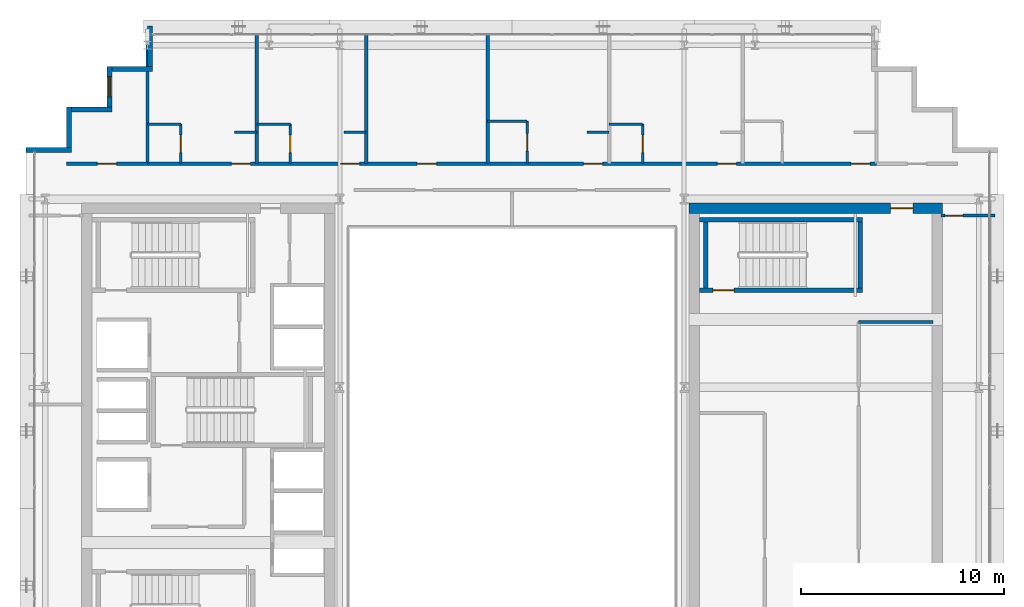
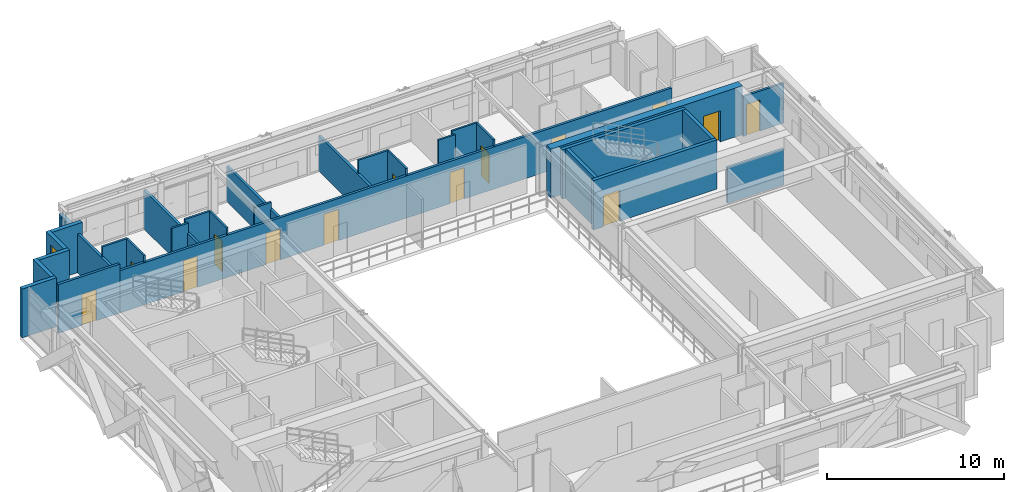
# One storey, part 26 of 31: 30 walls, 14 doors, 1 window, 15 openings.
"""IFC4 building model written with IfcOpenShell, lengths in metres."""

from ifc_helpers import new_model, si_unit, direction, frame, frame_2d, origin, place, context, subcontext, project, spatial, rectangle, extrude, source, transform, mapped, material, layer, layer_set, type_object, element, fill, save


model = new_model("IFC4")

# Units and contexts
model_context = context("Model", 3, precision=1e-05, world=origin(), true_north=direction((0.0, 1.0)))
body_context = subcontext(model_context, "Body", "Model", "MODEL_VIEW")
ifc_project = project(units=[si_unit("LENGTHUNIT", "METRE"), si_unit("AREAUNIT", "SQUARE_METRE"), si_unit("VOLUMEUNIT", "CUBIC_METRE"), si_unit("PLANEANGLEUNIT", "RADIAN"), si_unit("MASSUNIT", "GRAM", prefix="KILO")], contexts=[model_context])

# Site, building, storey
site_placement = place(None, origin())
site = spatial("IfcSite", under=ifc_project, at=site_placement, CompositionType="ELEMENT")
building_placement = place(site_placement, origin())
building = spatial("IfcBuilding", under=site, at=building_placement, Name="Ocotamira Hotel", CompositionType="ELEMENT")
storey_placement = place(building_placement, frame((0.0, 0.0, 202.800048828125)))
storey = spatial("IfcBuildingStorey", under=building, at=storey_placement, Name="L51", CompositionType="ELEMENT", Elevation=202.800048828125)

# Wall, opening, door
ifc_material_1 = material(Name="Concrete C50/60", Category="concrete")
ifc_layer_1 = layer(ifc_material_1, 0.5)
ifc_layer_set_1 = layer_set([ifc_layer_1], Name="Concrete C50/60")
wall_type_1 = type_object("IfcWallType", Name="WL-CORE-500", PredefinedType="SHEAR", material=ifc_layer_set_1)
wall_1_placement = place(storey_placement, frame((40.75, 37.0, 0.0), z_axis=(0.0, 0.0, 1.0), x_axis=(1.0, 0.0, 0.0)))
wall_1 = element("IfcWall", 1, at=wall_1_placement, inside=storey, type_object=wall_type_1, Name="L51 Shear Core Wall ECORE-N", PredefinedType="SHEAR", context=body_context, shape_type="SweptSolid", body=[
    extrude(rectangle(XDim=12.5, YDim=0.5, at=frame_2d((6.25, 0.0))), origin(), (0.0, 0.0, 1.0), 3.369873046875),
])
opening_1_placement = place(wall_1_placement, frame((9.949951171875, 0.0, 0.0)))
opening_1 = element("IfcOpeningElement", 2, at=opening_1_placement, cuts=wall_1, Name="Opening D-FR1", PredefinedType="OPENING", context=body_context, shape_type="SweptSolid", body=[
    extrude(rectangle(XDim=1.10009765625, YDim=2.14990234375, at=frame_2d((0.550048828125, 1.074951171875))), frame((0.0, 0.260009765625, 0.0), z_axis=(0.0, -1.0, 0.0), x_axis=(1.0, 0.0, 0.0)), (0.0, 0.0, 1.0), 0.52001953125),
])
ifc_material_2 = material(Name="Fire-rated acoustic timber-veneer door", Category="wood")
door_type_1 = type_object("IfcDoorType", Name="DR-FIRE-1100", OperationType="NOTDEFINED", PredefinedType="DOOR", material=ifc_material_2)
shared_shape_1 = source(origin(), body_context, "Body", "SweptSolid", [
    extrude(rectangle(XDim=1.10009765625, YDim=2.14990234375, at=frame_2d((0.550048828125, 1.074951171875))), frame((0.0, 0.02490234375, 0.0), z_axis=(0.0, -1.0, 0.0), x_axis=(1.0, 0.0, 0.0)), (0.0, 0.0, 1.0), 0.050048828125),
])
door_1_placement = place(opening_1_placement, origin())
door_1 = element("IfcDoor", 3, at=door_1_placement, inside=storey, type_object=door_type_1, Name="L51 Door ID-L51-ELOB-N-D [ID-L51-ELOB-N-D]", OperationType="SINGLE_SWING_LEFT", OverallHeight=2.14990234375, OverallWidth=1.10009765625, PredefinedType="DOOR", context=body_context, shape_type="MappedRepresentation", body=[
    mapped(shared_shape_1, transform((0.0, 0.0, 0.0), scale=1.0)),
])
fill(opening_1, door_1)

# Walls
ifc_material_3 = material(Name="Precast concrete C45/55", Category="concrete")
ifc_layer_2 = layer(ifc_material_3, 0.25)
ifc_layer_set_2 = layer_set([ifc_layer_2], Name="Precast concrete C45/55")
wall_type_2 = type_object("IfcWallType", Name="WL-EXT-SER-250", PredefinedType="SOLIDWALL", material=ifc_layer_set_2)
wall_2_placement = place(storey_placement, frame((14.125, 46.0, 0.0), z_axis=(0.0, 0.0, 1.0), x_axis=(0.0, -1.0, 0.0)))
element("IfcWall", 4, at=wall_2_placement, inside=storey, type_object=wall_type_2, Name="L51 Serrated Corner Wall 13", PredefinedType="SOLIDWALL", context=body_context, shape_type="SweptSolid", body=[
    extrude(rectangle(XDim=2.0, YDim=0.25, at=frame_2d((1.0, 0.0))), origin(), (0.0, 0.0, 1.0), 2.677001953125),
])
wall_3_placement = place(storey_placement, frame((14.25, 43.875, 0.0), z_axis=(0.0, 0.0, 1.0), x_axis=(-1.0, 0.0, 0.0)))
element("IfcWall", 5, at=wall_3_placement, inside=storey, type_object=wall_type_2, Name="L51 Serrated Corner Wall 14", PredefinedType="SOLIDWALL", context=body_context, shape_type="SweptSolid", body=[
    extrude(rectangle(XDim=2.0, YDim=0.25, at=frame_2d((1.0, 0.0))), origin(), (0.0, 0.0, 1.0), 3.369873046875),
])

# Wall, opening, window
wall_4_placement = place(storey_placement, frame((12.125, 44.0, 0.0), z_axis=(0.0, 0.0, 1.0), x_axis=(0.0, -1.0, 0.0)))
wall_4 = element("IfcWall", 6, at=wall_4_placement, inside=storey, type_object=wall_type_2, Name="L51 Serrated Corner Wall 15", PredefinedType="SOLIDWALL", context=body_context, shape_type="SweptSolid", body=[
    extrude(rectangle(XDim=2.0, YDim=0.25, at=frame_2d((1.0, 0.0))), origin(), (0.0, 0.0, 1.0), 3.369873046875),
])
opening_2_placement = place(wall_4_placement, frame((0.5, 0.0, 0.85009765625)))
opening_2 = element("IfcOpeningElement", 7, at=opening_2_placement, cuts=wall_4, Name="Opening WN-2", PredefinedType="OPENING", context=body_context, shape_type="SweptSolid", body=[
    extrude(rectangle(XDim=1.0, YDim=1.89990234375, at=frame_2d((0.5, 0.949951171875))), frame((0.0, 0.135009765625, 0.0), z_axis=(0.0, -1.0, 0.0), x_axis=(1.0, 0.0, 0.0)), (0.0, 0.0, 1.0), 0.27001953125),
])
ifc_material_4 = material(Name="Double-silver low-E solar glass", Category="glass")
window_type = type_object("IfcWindowType", Name="WIN-SER-1100", PartitioningType="SINGLE_PANEL", PredefinedType="WINDOW", material=ifc_material_4)
shared_shape_2 = source(origin(), body_context, "Body", "SweptSolid", [
    extrude(rectangle(XDim=1.0, YDim=1.89990234375, at=frame_2d((0.5, 0.949951171875))), frame((0.0, 0.030029296875, 0.0), z_axis=(0.0, -1.0, 0.0), x_axis=(1.0, 0.0, 0.0)), (0.0, 0.0, 1.0), 0.06005859375),
])
window_placement = place(opening_2_placement, origin())
window = element("IfcWindow", 8, at=window_placement, inside=storey, type_object=window_type, Name="L51 Serrated Corner Window 15", OverallHeight=1.89990234375, OverallWidth=1.0, PartitioningType="SINGLE_PANEL", PredefinedType="WINDOW", context=body_context, shape_type="MappedRepresentation", body=[
    mapped(shared_shape_2, transform((0.0, 0.0, 0.0), scale=1.0)),
])
fill(opening_2, window)

# Walls
for number, where, z_axis, x_axis, name in (
    (9, (12.25, 41.875, 0.0), (0.0, 0.0, 1.0), (-1.0, 0.0, 0.0), "L51 Serrated Corner Wall 16"),
    (10, (10.125, 42.0, 0.0), (0.0, 0.0, 1.0), (0.0, -1.0, 0.0), "L51 Serrated Corner Wall 17"),
):
    element("IfcWall", number, at=place(storey_placement, frame(where, z_axis=z_axis, x_axis=x_axis)), inside=storey, type_object=wall_type_2, Name=name, PredefinedType="SOLIDWALL", context=body_context, shape_type="SweptSolid", body=[
        extrude(rectangle(XDim=2.0, YDim=0.25, at=frame_2d((1.0, 0.0))), origin(), (0.0, 0.0, 1.0), 3.369873046875),
    ])
wall_5_placement = place(storey_placement, frame((10.25, 39.875, 0.0), z_axis=(0.0, 0.0, 1.0), x_axis=(-1.0, 0.0, 0.0)))
element("IfcWall", 11, at=wall_5_placement, inside=storey, type_object=wall_type_2, Name="L51 Serrated Corner Wall 18", PredefinedType="SOLIDWALL", context=body_context, shape_type="SweptSolid", body=[
    extrude(rectangle(XDim=2.25, YDim=0.25, at=frame_2d((1.125, 0.0))), origin(), (0.0, 0.0, 1.0), 3.369873046875),
])
ifc_material_5 = material(Name="Acoustic double-layer fire gypsum board partition", Category="gypsum")
ifc_layer_3 = layer(ifc_material_5, 0.159912109375)
ifc_layer_set_3 = layer_set([ifc_layer_3], Name="Acoustic double-layer fire gypsum board partition")
wall_type_3 = type_object("IfcWallType", Name="WL-FIRE-160", PredefinedType="PARTITIONING", material=ifc_layer_set_3)
wall_6_placement = place(storey_placement, frame((49.1201171875, 31.3798828125, 0.0), z_axis=(0.0, 0.0, 1.0), x_axis=(1.0, 0.0, 0.0)))
element("IfcWall", 12, at=wall_6_placement, inside=storey, type_object=wall_type_3, Name="L51 Interior Wall PW-L51-EC-FLOW-N", PredefinedType="PARTITIONING", context=body_context, shape_type="SweptSolid", body=[
    extrude(rectangle(XDim=3.679931640625, YDim=0.159912109375, at=frame_2d((1.83984375, 0.0))), origin(), (0.0, 0.0, 1.0), 2.469970703125),
])

# Wall, opening, door
wall_7_placement = place(storey_placement, frame((10.0, 39.199951171875, 0.0), z_axis=(0.0, 0.0, 1.0), x_axis=(1.0, 0.0, 0.0)))
wall_7 = element("IfcWall", 13, at=wall_7_placement, inside=storey, type_object=wall_type_3, Name="L51 Interior Wall PW-L51-Z3E-CNW-CW", PredefinedType="PARTITIONING", context=body_context, shape_type="SweptSolid", body=[
    extrude(rectangle(XDim=4.0, YDim=0.159912109375, at=frame_2d((2.0, 0.0))), origin(), (0.0, 0.0, 1.0), 3.369873046875),
])
opening_3_placement = place(wall_7_placement, frame((1.52001953125, 0.0, 0.0)))
opening_3 = element("IfcOpeningElement", 14, at=opening_3_placement, cuts=wall_7, Name="Opening D-SV4", PredefinedType="OPENING", context=body_context, shape_type="SweptSolid", body=[
    extrude(rectangle(XDim=0.9599609375, YDim=2.14990234375, at=frame_2d((0.47998046875, 1.074951171875))), frame((0.0, 0.08984375, 0.0), z_axis=(0.0, -1.0, 0.0), x_axis=(1.0, 0.0, 0.0)), (0.0, 0.0, 1.0), 0.179931640625),
])
ifc_material_6 = material(Name="Fire-rated accessible walnut salon door", Category="wood")
door_type_2 = type_object("IfcDoorType", Name="DR-SERV-960", OperationType="NOTDEFINED", PredefinedType="DOOR", material=ifc_material_6)
shared_shape_3 = source(origin(), body_context, "Body", "SweptSolid", [
    extrude(rectangle(XDim=0.9599609375, YDim=2.14990234375, at=frame_2d((0.47998046875, 1.074951171875))), frame((0.0, 0.02490234375, 0.0), z_axis=(0.0, -1.0, 0.0), x_axis=(1.0, 0.0, 0.0)), (0.0, 0.0, 1.0), 0.050048828125),
])
door_2_placement = place(opening_3_placement, origin())
door_2 = element("IfcDoor", 15, at=door_2_placement, inside=storey, type_object=door_type_2, Name="L51 Door ID-L51-Z3E-CNW-CD [ID-L51-Z3E-CNW-CD]", OperationType="SINGLE_SWING_LEFT", OverallHeight=2.14990234375, OverallWidth=0.9599609375, PredefinedType="DOOR", context=body_context, shape_type="MappedRepresentation", body=[
    mapped(shared_shape_3, transform((0.0, 0.0, 0.0), scale=1.0)),
])
fill(opening_3, door_2)

# Wall, openings, doors
wall_8_placement = place(storey_placement, frame((14.0, 39.199951171875, 0.0), z_axis=(0.0, 0.0, 1.0), x_axis=(1.0, 0.0, 0.0)))
wall_8 = element("IfcWall", 16, at=wall_8_placement, inside=storey, type_object=wall_type_3, Name="L51 Interior Wall PW-L51-Z3EN-CORRW", PredefinedType="PARTITIONING", context=body_context, shape_type="SweptSolid", body=[
    extrude(rectangle(XDim=36.0, YDim=0.159912109375, at=frame_2d((18.0, 0.0))), origin(), (0.0, 0.0, 1.0), 2.912841796875),
])
opening_4_placement = place(wall_8_placement, frame((4.139892578125, 0.0, 0.0)))
opening_4 = element("IfcOpeningElement", 17, at=opening_4_placement, cuts=wall_8, Name="Opening D-GR1", PredefinedType="OPENING", context=body_context, shape_type="SweptSolid", body=[
    extrude(rectangle(XDim=0.93994140625, YDim=2.14990234375, at=frame_2d((0.469970703125, 1.074951171875))), frame((0.0, 0.08984375, 0.0), z_axis=(0.0, -1.0, 0.0), x_axis=(1.0, 0.0, 0.0)), (0.0, 0.0, 1.0), 0.179931640625),
])
opening_5_placement = place(wall_8_placement, frame((9.5400390625, 0.0, 0.0)))
opening_5 = element("IfcOpeningElement", 18, at=opening_5_placement, cuts=wall_8, Name="Opening D-GR1", PredefinedType="OPENING", context=body_context, shape_type="SweptSolid", body=[
    extrude(rectangle(XDim=0.93994140625, YDim=2.14990234375, at=frame_2d((0.469970703125, 1.074951171875))), frame((0.0, 0.08984375, 0.0), z_axis=(0.0, -1.0, 0.0), x_axis=(1.0, 0.0, 0.0)), (0.0, 0.0, 1.0), 0.179931640625),
])
opening_6_placement = place(wall_8_placement, frame((13.320068359375, 0.0, 0.0)))
opening_6 = element("IfcOpeningElement", 19, at=opening_6_placement, cuts=wall_8, Name="Opening D-SV4", PredefinedType="OPENING", context=body_context, shape_type="SweptSolid", body=[
    extrude(rectangle(XDim=0.9599609375, YDim=2.14990234375, at=frame_2d((0.47998046875, 1.074951171875))), frame((0.0, 0.08984375, 0.0), z_axis=(0.0, -1.0, 0.0), x_axis=(1.0, 0.0, 0.0)), (0.0, 0.0, 1.0), 0.179931640625),
])
opening_7_placement = place(wall_8_placement, frame((21.5400390625, 0.0, 0.0)))
opening_7 = element("IfcOpeningElement", 20, at=opening_7_placement, cuts=wall_8, Name="Opening D-GR1", PredefinedType="OPENING", context=body_context, shape_type="SweptSolid", body=[
    extrude(rectangle(XDim=0.93994140625, YDim=2.14990234375, at=frame_2d((0.469970703125, 1.074951171875))), frame((0.0, 0.08984375, 0.0), z_axis=(0.0, -1.0, 0.0), x_axis=(1.0, 0.0, 0.0)), (0.0, 0.0, 1.0), 0.179931640625),
])
opening_8_placement = place(wall_8_placement, frame((28.139892578125, 0.0, 0.0)))
opening_8 = element("IfcOpeningElement", 21, at=opening_8_placement, cuts=wall_8, Name="Opening D-GR1", PredefinedType="OPENING", context=body_context, shape_type="SweptSolid", body=[
    extrude(rectangle(XDim=0.93994140625, YDim=2.14990234375, at=frame_2d((0.469970703125, 1.074951171875))), frame((0.0, 0.08984375, 0.0), z_axis=(0.0, -1.0, 0.0), x_axis=(1.0, 0.0, 0.0)), (0.0, 0.0, 1.0), 0.179931640625),
])
opening_9_placement = place(wall_8_placement, frame((34.739990234375, 0.0, 0.0)))
opening_9 = element("IfcOpeningElement", 22, at=opening_9_placement, cuts=wall_8, Name="Opening D-GR1", PredefinedType="OPENING", context=body_context, shape_type="SweptSolid", body=[
    extrude(rectangle(XDim=0.93994140625, YDim=2.14990234375, at=frame_2d((0.469970703125, 1.074951171875))), frame((0.0, 0.08984375, 0.0), z_axis=(0.0, -1.0, 0.0), x_axis=(1.0, 0.0, 0.0)), (0.0, 0.0, 1.0), 0.179931640625),
])
door_3_placement = place(opening_6_placement, origin())
door_3 = element("IfcDoor", 23, at=door_3_placement, inside=storey, type_object=door_type_2, Name="L51 Door ID-L51-Z3EN-AMD3 [ID-L51-Z3EN-AMD3]", OperationType="SINGLE_SWING_LEFT", OverallHeight=2.14990234375, OverallWidth=0.9599609375, PredefinedType="DOOR", context=body_context, shape_type="MappedRepresentation", body=[
    mapped(shared_shape_3, transform((0.0, 0.0, 0.0), scale=1.0)),
])
fill(opening_6, door_3)
ifc_material_7 = material(Name="Solid-core walnut suite entrance fire door", Category="wood")
door_type_3 = type_object("IfcDoorType", Name="DR-GUEST-940", OperationType="NOTDEFINED", PredefinedType="DOOR", material=ifc_material_7)
shared_shape_4 = source(origin(), body_context, "Body", "SweptSolid", [
    extrude(rectangle(XDim=0.93994140625, YDim=2.14990234375, at=frame_2d((0.469970703125, 1.074951171875))), frame((0.0, 0.02490234375, 0.0), z_axis=(0.0, -1.0, 0.0), x_axis=(1.0, 0.0, 0.0)), (0.0, 0.0, 1.0), 0.050048828125),
])
door_4_placement = place(opening_4_placement, origin())
door_4 = element("IfcDoor", 24, at=door_4_placement, inside=storey, type_object=door_type_3, Name="L51 Door ID-L51-Z3EN-RMD1 [ID-L51-Z3EN-RMD1]", OperationType="SINGLE_SWING_LEFT", OverallHeight=2.14990234375, OverallWidth=0.93994140625, PredefinedType="DOOR", context=body_context, shape_type="MappedRepresentation", body=[
    mapped(shared_shape_4, transform((0.0, 0.0, 0.0), scale=1.0)),
])
fill(opening_4, door_4)
door_5_placement = place(opening_5_placement, origin())
door_5 = element("IfcDoor", 25, at=door_5_placement, inside=storey, type_object=door_type_3, Name="L51 Door ID-L51-Z3EN-RMD2 [ID-L51-Z3EN-RMD2]", OperationType="SINGLE_SWING_RIGHT", OverallHeight=2.14990234375, OverallWidth=0.93994140625, PredefinedType="DOOR", context=body_context, shape_type="MappedRepresentation", body=[
    mapped(shared_shape_4, transform((0.0, 0.0, 0.0), scale=1.0)),
])
fill(opening_5, door_5)
door_6_placement = place(opening_7_placement, origin())
door_6 = element("IfcDoor", 26, at=door_6_placement, inside=storey, type_object=door_type_3, Name="L51 Door ID-L51-Z3EN-RMD4 [ID-L51-Z3EN-RMD4]", OperationType="SINGLE_SWING_RIGHT", OverallHeight=2.14990234375, OverallWidth=0.93994140625, PredefinedType="DOOR", context=body_context, shape_type="MappedRepresentation", body=[
    mapped(shared_shape_4, transform((0.0, 0.0, 0.0), scale=1.0)),
])
fill(opening_7, door_6)
door_7_placement = place(opening_8_placement, origin())
door_7 = element("IfcDoor", 27, at=door_7_placement, inside=storey, type_object=door_type_3, Name="L51 Door ID-L51-Z3EN-RMD5 [ID-L51-Z3EN-RMD5]", OperationType="SINGLE_SWING_LEFT", OverallHeight=2.14990234375, OverallWidth=0.93994140625, PredefinedType="DOOR", context=body_context, shape_type="MappedRepresentation", body=[
    mapped(shared_shape_4, transform((0.0, 0.0, 0.0), scale=1.0)),
])
fill(opening_8, door_7)
door_8_placement = place(opening_9_placement, origin())
door_8 = element("IfcDoor", 28, at=door_8_placement, inside=storey, type_object=door_type_3, Name="L51 Door ID-L51-Z3EN-RMD6 [ID-L51-Z3EN-RMD6]", OperationType="SINGLE_SWING_RIGHT", OverallHeight=2.14990234375, OverallWidth=0.93994140625, PredefinedType="DOOR", context=body_context, shape_type="MappedRepresentation", body=[
    mapped(shared_shape_4, transform((0.0, 0.0, 0.0), scale=1.0)),
])
fill(opening_9, door_8)

# Wall, opening, door
ifc_material_8 = material(Name="Moisture-resistant en-suite tile and gypsum partition", Category="gypsum")
ifc_layer_4 = layer(ifc_material_8, 0.1201171875)
ifc_layer_set_4 = layer_set([ifc_layer_4], Name="Moisture-resistant en-suite tile and gypsum partition")
wall_type_4 = type_object("IfcWallType", Name="WL-PART-120", PredefinedType="PARTITIONING", material=ifc_layer_set_4)
wall_9_placement = place(storey_placement, frame((15.64990234375, 39.199951171875, 0.0), z_axis=(0.0, 0.0, 1.0), x_axis=(0.0, 1.0, 0.0)))
wall_9 = element("IfcWall", 29, at=wall_9_placement, inside=storey, type_object=wall_type_4, Name="L51 Interior Wall PW-L51-Z3EN-BAE1", PredefinedType="PARTITIONING", context=body_context, shape_type="SweptSolid", body=[
    extrude(rectangle(XDim=1.949951171875, YDim=0.1201171875, at=frame_2d((0.97509765625, 0.0))), origin(), (0.0, 0.0, 1.0), 3.369873046875),
])
opening_10_placement = place(wall_9_placement, frame((0.544921875, 0.0, 0.0)))
opening_10 = element("IfcOpeningElement", 30, at=opening_10_placement, cuts=wall_9, Name="Opening D-BA1", PredefinedType="OPENING", context=body_context, shape_type="SweptSolid", body=[
    extrude(rectangle(XDim=0.860107421875, YDim=2.10009765625, at=frame_2d((0.43017578125, 1.050048828125))), frame((0.0, 0.070068359375, 0.0), z_axis=(0.0, -1.0, 0.0), x_axis=(1.0, 0.0, 0.0)), (0.0, 0.0, 1.0), 0.14013671875),
])
ifc_material_9 = material(Name="Moisture-sealed en-suite timber door", Category="wood")
door_type_4 = type_object("IfcDoorType", Name="DR-BATH-860", OperationType="NOTDEFINED", PredefinedType="DOOR", material=ifc_material_9)
shared_shape_5 = source(origin(), body_context, "Body", "SweptSolid", [
    extrude(rectangle(XDim=0.860107421875, YDim=2.10009765625, at=frame_2d((0.43017578125, 1.050048828125))), frame((0.0, 0.02490234375, 0.0), z_axis=(0.0, -1.0, 0.0), x_axis=(1.0, 0.0, 0.0)), (0.0, 0.0, 1.0), 0.050048828125),
])
door_9_placement = place(opening_10_placement, origin())
door_9 = element("IfcDoor", 31, at=door_9_placement, inside=storey, type_object=door_type_4, Name="L51 Door ID-L51-Z3EN-BAD1 [ID-L51-Z3EN-BAD1]", OperationType="SINGLE_SWING_RIGHT", OverallHeight=2.10009765625, OverallWidth=0.860107421875, PredefinedType="DOOR", context=body_context, shape_type="MappedRepresentation", body=[
    mapped(shared_shape_5, transform((0.0, 0.0, 0.0), scale=1.0)),
])
fill(opening_10, door_9)

# Walls
wall_10_placement = place(storey_placement, frame((14.0, 41.14990234375, 0.0), z_axis=(0.0, 0.0, 1.0), x_axis=(1.0, 0.0, 0.0)))
element("IfcWall", 32, at=wall_10_placement, inside=storey, type_object=wall_type_4, Name="L51 Interior Wall PW-L51-Z3EN-BAN1", PredefinedType="PARTITIONING", context=body_context, shape_type="SweptSolid", body=[
    extrude(rectangle(XDim=1.64990234375, YDim=0.1201171875, at=frame_2d((0.824951171875, 0.0))), origin(), (0.0, 0.0, 1.0), 3.369873046875),
])
wall_11_placement = place(storey_placement, frame((18.300048828125, 40.75, 0.0), z_axis=(0.0, 0.0, 1.0), x_axis=(1.0, 0.0, 0.0)))
element("IfcWall", 33, at=wall_11_placement, inside=storey, type_object=wall_type_4, Name="L51 Interior Wall PW-L51-Z3EN-DRN1", PredefinedType="PARTITIONING", context=body_context, shape_type="SweptSolid", body=[
    extrude(rectangle(XDim=1.099853515625, YDim=0.1201171875, at=frame_2d((0.5498046875, 0.0))), origin(), (0.0, 0.0, 1.0), 3.369873046875),
])

# Wall, opening, door
wall_12_placement = place(storey_placement, frame((21.050048828125, 39.199951171875, 0.0), z_axis=(0.0, 0.0, 1.0), x_axis=(0.0, 1.0, 0.0)))
wall_12 = element("IfcWall", 34, at=wall_12_placement, inside=storey, type_object=wall_type_4, Name="L51 Interior Wall PW-L51-Z3EN-BAE2", PredefinedType="PARTITIONING", context=body_context, shape_type="SweptSolid", body=[
    extrude(rectangle(XDim=1.949951171875, YDim=0.1201171875, at=frame_2d((0.97509765625, 0.0))), origin(), (0.0, 0.0, 1.0), 3.369873046875),
])
opening_11_placement = place(wall_12_placement, frame((0.544921875, 0.0, 0.0)))
opening_11 = element("IfcOpeningElement", 35, at=opening_11_placement, cuts=wall_12, Name="Opening D-BA1", PredefinedType="OPENING", context=body_context, shape_type="SweptSolid", body=[
    extrude(rectangle(XDim=0.860107421875, YDim=2.10009765625, at=frame_2d((0.43017578125, 1.050048828125))), frame((0.0, 0.070068359375, 0.0), z_axis=(0.0, -1.0, 0.0), x_axis=(1.0, 0.0, 0.0)), (0.0, 0.0, 1.0), 0.14013671875),
])
door_10_placement = place(opening_11_placement, origin())
door_10 = element("IfcDoor", 36, at=door_10_placement, inside=storey, type_object=door_type_4, Name="L51 Door ID-L51-Z3EN-BAD2 [ID-L51-Z3EN-BAD2]", OperationType="SINGLE_SWING_LEFT", OverallHeight=2.10009765625, OverallWidth=0.860107421875, PredefinedType="DOOR", context=body_context, shape_type="MappedRepresentation", body=[
    mapped(shared_shape_5, transform((0.0, 0.0, 0.0), scale=1.0)),
])
fill(opening_11, door_10)

# Walls
wall_13_placement = place(storey_placement, frame((19.39990234375, 41.14990234375, 0.0), z_axis=(0.0, 0.0, 1.0), x_axis=(1.0, 0.0, 0.0)))
element("IfcWall", 37, at=wall_13_placement, inside=storey, type_object=wall_type_4, Name="L51 Interior Wall PW-L51-Z3EN-BAN2", PredefinedType="PARTITIONING", context=body_context, shape_type="SweptSolid", body=[
    extrude(rectangle(XDim=1.650146484375, YDim=0.1201171875, at=frame_2d((0.8251953125, 0.0))), origin(), (0.0, 0.0, 1.0), 3.369873046875),
])
wall_14_placement = place(storey_placement, frame((23.699951171875, 40.75, 0.0), z_axis=(0.0, 0.0, 1.0), x_axis=(1.0, 0.0, 0.0)))
element("IfcWall", 38, at=wall_14_placement, inside=storey, type_object=wall_type_4, Name="L51 Interior Wall PW-L51-Z3EN-DRN2", PredefinedType="PARTITIONING", context=body_context, shape_type="SweptSolid", body=[
    extrude(rectangle(XDim=1.10009765625, YDim=0.1201171875, at=frame_2d((0.550048828125, 0.0))), origin(), (0.0, 0.0, 1.0), 2.912841796875),
])

# Wall, opening, door
wall_15_placement = place(storey_placement, frame((32.75, 39.199951171875, 0.0), z_axis=(0.0, 0.0, 1.0), x_axis=(0.0, 1.0, 0.0)))
wall_15 = element("IfcWall", 39, at=wall_15_placement, inside=storey, type_object=wall_type_4, Name="L51 Interior Wall PW-L51-Z3EN-BAE4", PredefinedType="PARTITIONING", context=body_context, shape_type="SweptSolid", body=[
    extrude(rectangle(XDim=2.10009765625, YDim=0.1201171875, at=frame_2d((1.050048828125, 0.0))), origin(), (0.0, 0.0, 1.0), 3.369873046875),
])
opening_12_placement = place(wall_15_placement, frame((0.6201171875, 0.0, 0.0)))
opening_12 = element("IfcOpeningElement", 40, at=opening_12_placement, cuts=wall_15, Name="Opening D-BA1", PredefinedType="OPENING", context=body_context, shape_type="SweptSolid", body=[
    extrude(rectangle(XDim=0.860107421875, YDim=2.10009765625, at=frame_2d((0.43017578125, 1.050048828125))), frame((0.0, 0.070068359375, 0.0), z_axis=(0.0, -1.0, 0.0), x_axis=(1.0, 0.0, 0.0)), (0.0, 0.0, 1.0), 0.14013671875),
])
door_11_placement = place(opening_12_placement, origin())
door_11 = element("IfcDoor", 41, at=door_11_placement, inside=storey, type_object=door_type_4, Name="L51 Door ID-L51-Z3EN-BAD4 [ID-L51-Z3EN-BAD4]", OperationType="SINGLE_SWING_LEFT", OverallHeight=2.10009765625, OverallWidth=0.860107421875, PredefinedType="DOOR", context=body_context, shape_type="MappedRepresentation", body=[
    mapped(shared_shape_5, transform((0.0, 0.0, 0.0), scale=1.0)),
])
fill(opening_12, door_11)

# Walls
wall_16_placement = place(storey_placement, frame((30.800048828125, 41.300048828125, 0.0), z_axis=(0.0, 0.0, 1.0), x_axis=(1.0, 0.0, 0.0)))
element("IfcWall", 42, at=wall_16_placement, inside=storey, type_object=wall_type_4, Name="L51 Interior Wall PW-L51-Z3EN-BAN4", PredefinedType="PARTITIONING", context=body_context, shape_type="SweptSolid", body=[
    extrude(rectangle(XDim=1.949951171875, YDim=0.1201171875, at=frame_2d((0.97509765625, 0.0))), origin(), (0.0, 0.0, 1.0), 3.369873046875),
])
wall_17_placement = place(storey_placement, frame((35.699951171875, 40.75, 0.0), z_axis=(0.0, 0.0, 1.0), x_axis=(1.0, 0.0, 0.0)))
element("IfcWall", 43, at=wall_17_placement, inside=storey, type_object=wall_type_4, Name="L51 Interior Wall PW-L51-Z3EN-DRN4", PredefinedType="PARTITIONING", context=body_context, shape_type="SweptSolid", body=[
    extrude(rectangle(XDim=1.10009765625, YDim=0.1201171875, at=frame_2d((0.550048828125, 0.0))), origin(), (0.0, 0.0, 1.0), 3.369873046875),
])

# Wall, opening, door
wall_18_placement = place(storey_placement, frame((38.449951171875, 39.199951171875, 0.0), z_axis=(0.0, 0.0, 1.0), x_axis=(0.0, 1.0, 0.0)))
wall_18 = element("IfcWall", 44, at=wall_18_placement, inside=storey, type_object=wall_type_4, Name="L51 Interior Wall PW-L51-Z3EN-BAE5", PredefinedType="PARTITIONING", context=body_context, shape_type="SweptSolid", body=[
    extrude(rectangle(XDim=1.949951171875, YDim=0.1201171875, at=frame_2d((0.97509765625, 0.0))), origin(), (0.0, 0.0, 1.0), 3.369873046875),
])
opening_13_placement = place(wall_18_placement, frame((0.544921875, 0.0, 0.0)))
opening_13 = element("IfcOpeningElement", 45, at=opening_13_placement, cuts=wall_18, Name="Opening D-BA1", PredefinedType="OPENING", context=body_context, shape_type="SweptSolid", body=[
    extrude(rectangle(XDim=0.860107421875, YDim=2.10009765625, at=frame_2d((0.43017578125, 1.050048828125))), frame((0.0, 0.070068359375, 0.0), z_axis=(0.0, -1.0, 0.0), x_axis=(1.0, 0.0, 0.0)), (0.0, 0.0, 1.0), 0.14013671875),
])
door_12_placement = place(opening_13_placement, origin())
door_12 = element("IfcDoor", 46, at=door_12_placement, inside=storey, type_object=door_type_4, Name="L51 Door ID-L51-Z3EN-BAD5 [ID-L51-Z3EN-BAD5]", OperationType="SINGLE_SWING_RIGHT", OverallHeight=2.10009765625, OverallWidth=0.860107421875, PredefinedType="DOOR", context=body_context, shape_type="MappedRepresentation", body=[
    mapped(shared_shape_5, transform((0.0, 0.0, 0.0), scale=1.0)),
])
fill(opening_13, door_12)

# Wall
wall_19_placement = place(storey_placement, frame((36.800048828125, 41.14990234375, 0.0), z_axis=(0.0, 0.0, 1.0), x_axis=(1.0, 0.0, 0.0)))
element("IfcWall", 47, at=wall_19_placement, inside=storey, type_object=wall_type_4, Name="L51 Interior Wall PW-L51-Z3EN-BAN5", PredefinedType="PARTITIONING", context=body_context, shape_type="SweptSolid", body=[
    extrude(rectangle(XDim=1.64990234375, YDim=0.1201171875, at=frame_2d((0.824951171875, 0.0))), origin(), (0.0, 0.0, 1.0), 3.369873046875),
])

# Wall, opening, door
ifc_material_10 = material(Name="Acoustic hospitality gypsum board partition", Category="gypsum")
ifc_layer_5 = layer(ifc_material_10, 0.14990234375)
ifc_layer_set_5 = layer_set([ifc_layer_5], Name="Acoustic hospitality gypsum board partition")
wall_type_5 = type_object("IfcWallType", Name="WL-PART-150", PredefinedType="PARTITIONING", material=ifc_layer_set_5)
wall_20_placement = place(storey_placement, frame((53.179931640625, 36.639892578125, 0.0), z_axis=(0.0, 0.0, 1.0), x_axis=(1.0, 0.0, 0.0)))
wall_20 = element("IfcWall", 48, at=wall_20_placement, inside=storey, type_object=wall_type_5, Name="L51 Interior Wall PW-L51-Z3E-EF-WN", PredefinedType="PARTITIONING", context=body_context, shape_type="SweptSolid", body=[
    extrude(rectangle(XDim=2.66015625, YDim=0.14990234375, at=frame_2d((1.330078125, 0.0))), origin(), (0.0, 0.0, 1.0), 2.7529296875),
])
opening_14_placement = place(wall_20_placement, frame((0.199951171875, 0.0, 0.0)))
opening_14 = element("IfcOpeningElement", 49, at=opening_14_placement, cuts=wall_20, Name="Opening D-SV2", PredefinedType="OPENING", context=body_context, shape_type="SweptSolid", body=[
    extrude(rectangle(XDim=0.8798828125, YDim=2.14990234375, at=frame_2d((0.43994140625, 1.074951171875))), frame((0.0, 0.0849609375, 0.0), z_axis=(0.0, -1.0, 0.0), x_axis=(1.0, 0.0, 0.0)), (0.0, 0.0, 1.0), 0.169921875),
])
ifc_material_11 = material(Name="Fire-rated painted steel service door", Category="steel")
door_type_5 = type_object("IfcDoorType", Name="DR-SERV-880", OperationType="NOTDEFINED", PredefinedType="DOOR", material=ifc_material_11)
shared_shape_6 = source(origin(), body_context, "Body", "SweptSolid", [
    extrude(rectangle(XDim=0.8798828125, YDim=2.14990234375, at=frame_2d((0.43994140625, 1.074951171875))), frame((0.0, 0.02490234375, 0.0), z_axis=(0.0, -1.0, 0.0), x_axis=(1.0, 0.0, 0.0)), (0.0, 0.0, 1.0), 0.050048828125),
])
door_13_placement = place(opening_14_placement, origin())
door_13 = element("IfcDoor", 50, at=door_13_placement, inside=storey, type_object=door_type_5, Name="L51 Door ID-L51-Z3E-EF-DN [ID-L51-Z3E-EF-DN]", OperationType="SINGLE_SWING_LEFT", OverallHeight=2.14990234375, OverallWidth=0.8798828125, PredefinedType="DOOR", context=body_context, shape_type="MappedRepresentation", body=[
    mapped(shared_shape_6, transform((0.0, 0.0, 0.0), scale=1.0)),
])
fill(opening_14, door_13)

# Walls
ifc_material_12 = material(Name="Acoustic double-stud hospitality gypsum partition", Category="gypsum")
ifc_layer_6 = layer(ifc_material_12, 0.159912109375)
ifc_layer_set_6 = layer_set([ifc_layer_6], Name="Acoustic double-stud hospitality gypsum partition")
wall_type_6 = type_object("IfcWallType", Name="WL-PART-160", PredefinedType="PARTITIONING", material=ifc_layer_set_6)
for number, where, z_axis, x_axis, name in (
    (51, (14.0, 39.199951171875, 0.0), (0.0, 0.0, 1.0), (0.0, 1.0, 0.0), "L51 Interior Wall PW-L51-Z3EN-PW0"),
    (52, (19.39990234375, 39.199951171875, 0.0), (0.0, 0.0, 1.0), (0.0, 1.0, 0.0), "L51 Interior Wall PW-L51-Z3EN-PW1"),
):
    element("IfcWall", number, at=place(storey_placement, frame(where, z_axis=z_axis, x_axis=x_axis)), inside=storey, type_object=wall_type_6, Name=name, PredefinedType="PARTITIONING", context=body_context, shape_type="SweptSolid", body=[
        extrude(rectangle(XDim=6.43994140625, YDim=0.159912109375, at=frame_2d((3.219970703125, 0.0))), origin(), (0.0, 0.0, 1.0), 2.677001953125),
    ])
for number, where, z_axis, x_axis, name in (
    (53, (24.800048828125, 39.199951171875, 0.0), (0.0, 0.0, 1.0), (0.0, 1.0, 0.0), "L51 Interior Wall PW-L51-Z3EN-PW2"),
    (54, (30.800048828125, 39.199951171875, 0.0), (0.0, 0.0, 1.0), (0.0, 1.0, 0.0), "L51 Interior Wall PW-L51-Z3EN-PW3"),
):
    element("IfcWall", number, at=place(storey_placement, frame(where, z_axis=z_axis, x_axis=x_axis)), inside=storey, type_object=wall_type_6, Name=name, PredefinedType="PARTITIONING", context=body_context, shape_type="SweptSolid", body=[
        extrude(rectangle(XDim=6.43994140625, YDim=0.159912109375, at=frame_2d((3.219970703125, 0.0))), origin(), (0.0, 0.0, 1.0), 2.44287109375),
    ])

# Wall, opening, door
ifc_layer_7 = layer(ifc_material_1, 0.219970703125)
ifc_layer_set_7 = layer_set([ifc_layer_7], Name="Concrete C50/60")
wall_type_7 = type_object("IfcWallType", Name="WL-STAIR-220", PredefinedType="SHEAR", material=ifc_layer_set_7)
wall_21_placement = place(storey_placement, frame((41.25, 32.93994140625, 0.0), z_axis=(0.0, 0.0, 1.0), x_axis=(1.0, 0.0, 0.0)))
wall_21 = element("IfcWall", 55, at=wall_21_placement, inside=storey, type_object=wall_type_7, Name="L51 Stair Shaft Structural Wall ST-4-S", PredefinedType="SHEAR", context=body_context, shape_type="SweptSolid", body=[
    extrude(rectangle(XDim=8.06005859375, YDim=0.219970703125, at=frame_2d((4.030029296875, 0.0))), origin(), (0.0, 0.0, 1.0), 3.39990234375),
])
opening_15_placement = place(wall_21_placement, frame((0.669921875, 0.0, 0.0)))
opening_15 = element("IfcOpeningElement", 56, at=opening_15_placement, cuts=wall_21, Name="Opening D-ST2", PredefinedType="OPENING", context=body_context, shape_type="SweptSolid", body=[
    extrude(rectangle(XDim=1.050048828125, YDim=2.14990234375, at=frame_2d((0.52490234375, 1.074951171875))), frame((0.0, 0.1201171875, 0.0), z_axis=(0.0, -1.0, 0.0), x_axis=(1.0, 0.0, 0.0)), (0.0, 0.0, 1.0), 0.239990234375),
])
ifc_material_13 = material(Name="Insulated painted hollow-metal fire exit door", Category="steel")
door_type_6 = type_object("IfcDoorType", Name="DR-STAIR-1050", OperationType="NOTDEFINED", PredefinedType="DOOR", material=ifc_material_13)
shared_shape_7 = source(origin(), body_context, "Body", "SweptSolid", [
    extrude(rectangle(XDim=1.050048828125, YDim=2.14990234375, at=frame_2d((0.52490234375, 1.074951171875))), frame((0.0, 0.02490234375, 0.0), z_axis=(0.0, -1.0, 0.0), x_axis=(1.0, 0.0, 0.0)), (0.0, 0.0, 1.0), 0.050048828125),
])
door_14_placement = place(opening_15_placement, origin())
door_14 = element("IfcDoor", 57, at=door_14_placement, inside=storey, type_object=door_type_6, Name="L51 Door ID-L51-STD-ST-4 [ID-L51-STD-ST-4]", OperationType="SINGLE_SWING_LEFT", OverallHeight=2.14990234375, OverallWidth=1.050048828125, PredefinedType="DOOR", context=body_context, shape_type="MappedRepresentation", body=[
    mapped(shared_shape_7, transform((0.0, 0.0, 0.0), scale=1.0)),
])
fill(opening_15, door_14)

# Walls
wall_22_placement = place(storey_placement, frame((41.25, 36.43994140625, 0.0), z_axis=(0.0, 0.0, 1.0), x_axis=(1.0, 0.0, 0.0)))
element("IfcWall", 58, at=wall_22_placement, inside=storey, type_object=wall_type_7, Name="L51 Stair Shaft Structural Wall ST-4-N", PredefinedType="SHEAR", context=body_context, shape_type="SweptSolid", body=[
    extrude(rectangle(XDim=8.06005859375, YDim=0.219970703125, at=frame_2d((4.030029296875, 0.0))), origin(), (0.0, 0.0, 1.0), 3.39990234375),
])
for number, where, z_axis, x_axis, name in (
    (59, (41.56005859375, 33.050048828125, 0.0), (0.0, 0.0, 1.0), (0.0, 1.0, 0.0), "L51 Stair Shaft Structural Wall ST-4-W"),
    (60, (49.199951171875, 33.050048828125, 0.0), (0.0, 0.0, 1.0), (0.0, 1.0, 0.0), "L51 Stair Shaft Structural Wall ST-4-E"),
):
    element("IfcWall", number, at=place(storey_placement, frame(where, z_axis=z_axis, x_axis=x_axis)), inside=storey, type_object=wall_type_7, Name=name, PredefinedType="SHEAR", context=body_context, shape_type="SweptSolid", body=[
        extrude(rectangle(XDim=3.280029296875, YDim=0.219970703125, at=frame_2d((1.64013671875, 0.0))), origin(), (0.0, 0.0, 1.0), 3.39990234375),
    ])

save(model, "model.ifc")
